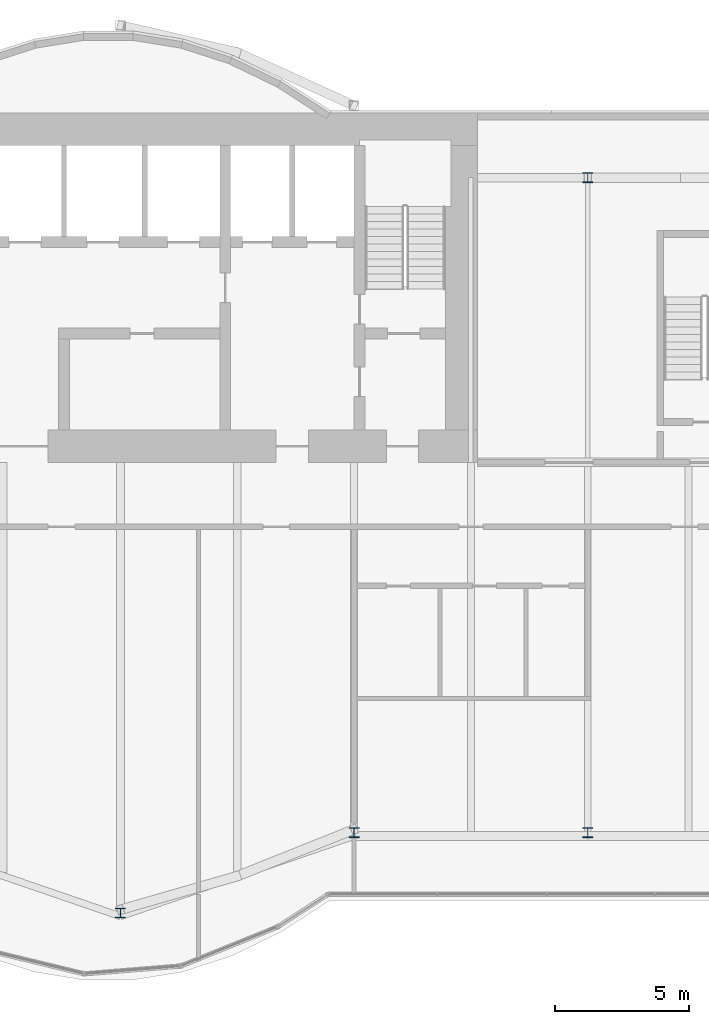
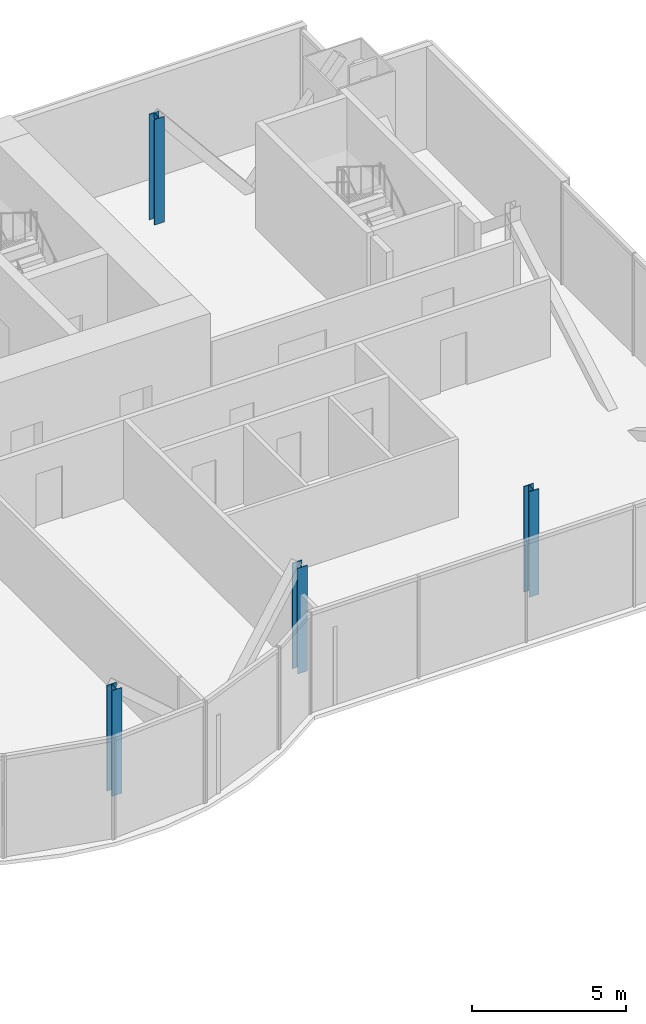
# One storey, part 2 of 19: 4 columns.
"""IFC4 building model written with IfcOpenShell, lengths in metres."""

from ifc_helpers import new_model, si_unit, direction, frame, origin, origin_2d, place, context, subcontext, project, spatial, i_section, extrude, material, material_profile, profile_set, type_object, element, save


model = new_model("IFC4")

# Units and contexts
model_context = context("Model", 3, precision=1e-05, world=origin(), true_north=direction((0.0, 1.0)))
body_context = subcontext(model_context, "Body", "Model", "MODEL_VIEW")
ifc_project = project(units=[si_unit("LENGTHUNIT", "METRE"), si_unit("AREAUNIT", "SQUARE_METRE"), si_unit("VOLUMEUNIT", "CUBIC_METRE"), si_unit("PLANEANGLEUNIT", "RADIAN"), si_unit("MASSUNIT", "GRAM", prefix="KILO")], contexts=[model_context])

# Site, building, storey
site_placement = place(None, origin())
site = spatial("IfcSite", under=ifc_project, at=site_placement, CompositionType="ELEMENT")
building_placement = place(site_placement, origin())
building = spatial("IfcBuilding", under=site, at=building_placement, Name="Bicima Exchange Tower", CompositionType="ELEMENT")
storey_placement = place(building_placement, frame((0.0, 0.0, 258.199951171875)))
storey = spatial("IfcBuildingStorey", under=building, at=storey_placement, Name="L58", CompositionType="ELEMENT", Elevation=258.199951171875)

# Columns
ifc_material = material(Name="Steel ASTM A992 Gr 50", Category="steel")
ifc_material_profile = material_profile(ifc_material, i_section(OverallWidth=0.370849609375, OverallDepth=0.36328125, WebThickness=0.013427734375, FlangeThickness=0.021728515625, at=origin_2d()))
ifc_profile_set = profile_set([ifc_material_profile], Name="Steel ASTM A992 Gr 50")
column_type = type_object("IfcColumnType", Name="Perimeter column W14x109", PredefinedType="COLUMN", material=ifc_profile_set)
for number, where, z_axis, x_axis, name in (
    (1, (8.699951171875, -29.781005859375, 0.0), (0.0, 0.0, 1.0), (1.0, 0.0, 0.0), "Perimeter column grav+8.7f"),
    (2, (17.39990234375, -26.7900390625, 0.0), (0.0, 0.0, 1.0), (1.0, 0.0, 0.0), "Perimeter column grav+17.4f"),
    (3, (26.10009765625, -26.7900390625, 0.0), (0.0, 0.0, 1.0), (1.0, 0.0, 0.0), "Perimeter column grav+26.1f"),
    (4, (26.10009765625, -2.39990234375, 0.0), (0.0, 0.0, 1.0), (1.0, 0.0, 0.0), "Perimeter column grav+26.1r"),
):
    element("IfcColumn", number, at=place(storey_placement, frame(where, z_axis=z_axis, x_axis=x_axis)), inside=storey, type_object=column_type, Name=name, PredefinedType="COLUMN", context=body_context, shape_type="SweptSolid", body=[
        extrude(i_section(OverallWidth=0.370849609375, OverallDepth=0.36328125, WebThickness=0.013427734375, FlangeThickness=0.021728515625, at=origin_2d()), origin(), (0.0, 0.0, 1.0), 4.199951171875),
    ])

save(model, "model.ifc")
